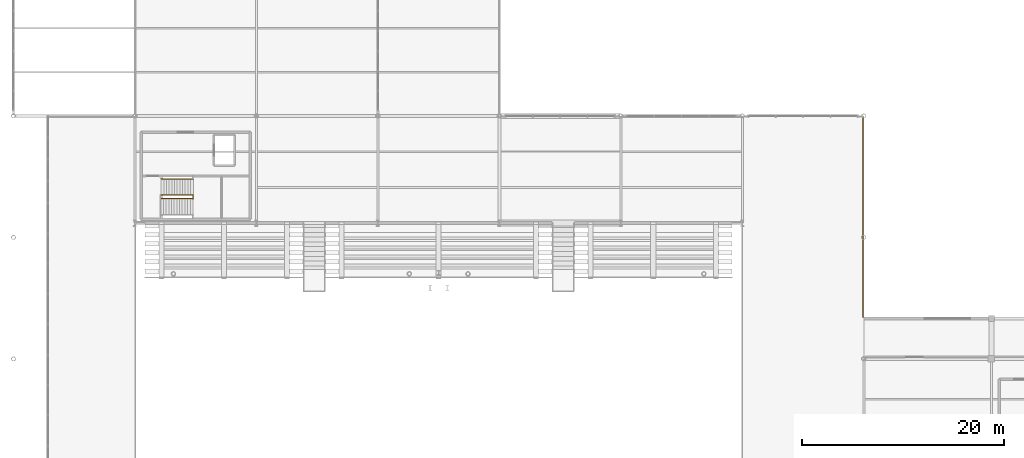
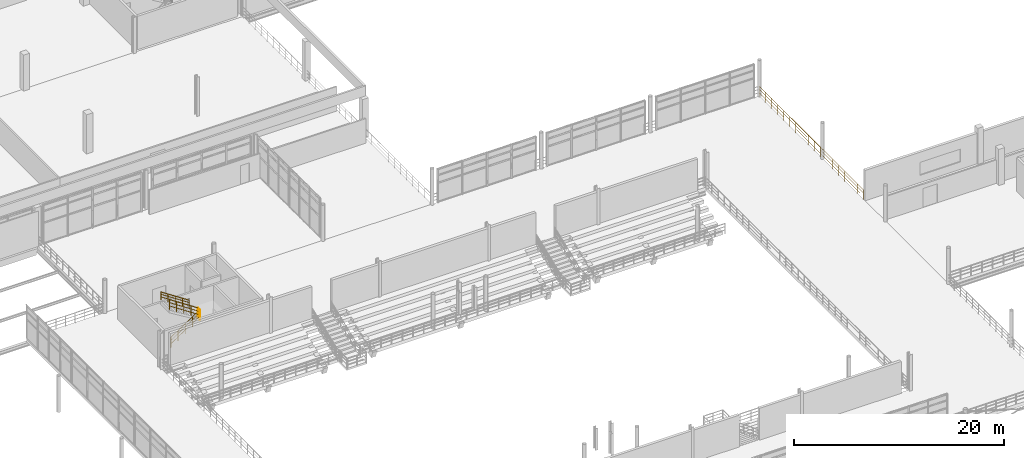
# One storey, part 80 of 89: 5 railings.
"""IFC4 building model written with IfcOpenShell, lengths in metres."""

from ifc_helpers import new_model, si_unit, direction, frame, origin, origin_2d, place, context, subcontext, project, spatial, circle, extrude, material, layer, layer_set, type_object, element, save


model = new_model("IFC4")

# Units and contexts
model_context = context("Model", 3, precision=1e-05, world=origin(), true_north=direction((0.0, 1.0)))
body_context = subcontext(model_context, "Body", "Model", "MODEL_VIEW")
ifc_project = project(units=[si_unit("LENGTHUNIT", "METRE"), si_unit("AREAUNIT", "SQUARE_METRE"), si_unit("VOLUMEUNIT", "CUBIC_METRE"), si_unit("PLANEANGLEUNIT", "RADIAN"), si_unit("MASSUNIT", "GRAM", prefix="KILO"), si_unit("THERMODYNAMICTEMPERATUREUNIT", "KELVIN"), si_unit("POWERUNIT", "WATT")], contexts=[model_context])

# Site, building, storey
site_placement = place(None, origin())
site = spatial("IfcSite", under=ifc_project, at=site_placement, CompositionType="ELEMENT")
building_placement = place(site_placement, origin())
building = spatial("IfcBuilding", under=site, at=building_placement, Name="Solmara Park Aquatics Centre", CompositionType="ELEMENT")
storey_placement = place(building_placement, frame((0.0, 0.0, 5.39990234375)))
storey = spatial("IfcBuildingStorey", under=building, at=storey_placement, Name="L01", CompositionType="ELEMENT", Elevation=5.39990234375)

# Railings
ifc_material_1 = material(Name="Brushed Marine-Grade Stainless Steel 316L Handrail", Category="steel")
ifc_layer_1 = layer(ifc_material_1, 0.044921875, Name="Brushed Marine-Grade Stainless Steel 316L Handrail")
ifc_layer_set_1 = layer_set([ifc_layer_1], Name="Brushed Marine-Grade Stainless Steel 316L Handrail")
railing_type_1 = type_object("IfcRailingType", Name="ARC-RL-HND090", PredefinedType="HANDRAIL", material=ifc_layer_set_1)
railing_1_placement = place(storey_placement, frame((30.360107421875, 66.389892578125, 2.26171875)))
element("IfcRailing", 1, at=railing_1_placement, inside=storey, type_object=railing_type_1, Name="ST-04 Protected Exit Stair (L01 to L02) Flight 2 Outer Handrail", PredefinedType="HANDRAIL", context=body_context, shape_type="SweptSolid", body=[
    extrude(circle(Radius=0.02392578125, at=origin_2d()), frame((0.0, 0.0, 0.89599609375), z_axis=(-0.834496290938, 0.0, 0.551013557374), x_axis=(0.0, -1.0, 0.0)), (0.0, 0.0, 1.0), 3.810791015625),
    extrude(circle(Radius=0.01416015625, at=origin_2d()), frame((0.0, 0.0, 0.322021484375), z_axis=(-0.834496290938, 0.0, 0.551013557374), x_axis=(0.0, -1.0, 0.0)), (0.0, 0.0, 1.0), 3.810791015625),
    extrude(circle(Radius=0.01416015625, at=origin_2d()), frame((0.0, 0.0, 0.62548828125), z_axis=(-0.834496290938, 0.0, 0.551013557374), x_axis=(0.0, -1.0, 0.0)), (0.0, 0.0, 1.0), 3.810791015625),
    extrude(circle(Radius=0.02099609375, at=origin_2d()), origin(), (0.0, 0.0, 1.0), 0.871826171875),
    extrude(circle(Radius=0.02099609375, at=origin_2d()), frame((-0.794921875, 0.0, 0.52490234375)), (0.0, 0.0, 1.0), 0.871826171875),
    extrude(circle(Radius=0.02099609375, at=origin_2d()), frame((-1.590087890625, 0.0, 1.0498046875)), (0.0, 0.0, 1.0), 0.871826171875),
    extrude(circle(Radius=0.02099609375, at=origin_2d()), frame((-2.38525390625, 0.0, 1.574951171875)), (0.0, 0.0, 1.0), 0.871826171875),
    extrude(circle(Radius=0.02099609375, at=origin_2d()), frame((-3.18017578125, 0.0, 2.099853515625)), (0.0, 0.0, 1.0), 0.871826171875),
])
ifc_material_2 = material(Name="Toughened Glass and Stainless Steel Stand Guardrail", Category="steel")
ifc_layer_2 = layer(ifc_material_2, 0.06005859375, Name="Toughened Glass and Stainless Steel Stand Guardrail")
ifc_layer_set_2 = layer_set([ifc_layer_2], Name="Toughened Glass and Stainless Steel Stand Guardrail")
railing_type_2 = type_object("IfcRailingType", Name="ARC-RL-STD110", PredefinedType="GUARDRAIL", material=ifc_layer_set_2)
railing_2_placement = place(storey_placement, frame((96.5400390625, 72.5400390625, 0.0)))
element("IfcRailing", 2, at=railing_2_placement, inside=storey, type_object=railing_type_2, Name="L01 Slab Edge Guardrail 039", PredefinedType="GUARDRAIL", context=body_context, shape_type="SweptSolid", body=[
    extrude(circle(Radius=0.02392578125, at=origin_2d()), frame((0.0, 0.0, 1.15576171875), z_axis=(0.0, -1.0, 0.0), x_axis=(1.0, 0.0, 0.0)), (0.0, 0.0, 1.0), 19.813720703125),
    extrude(circle(Radius=0.01416015625, at=origin_2d()), frame((0.0, 0.0, 0.4130859375), z_axis=(0.0, -1.0, 0.0), x_axis=(1.0, 0.0, 0.0)), (0.0, 0.0, 1.0), 19.813720703125),
    extrude(circle(Radius=0.01416015625, at=origin_2d()), frame((0.0, 0.0, 0.80224609375), z_axis=(0.0, -1.0, 0.0), x_axis=(1.0, 0.0, 0.0)), (0.0, 0.0, 1.0), 19.813720703125),
    extrude(circle(Radius=0.02099609375, at=origin_2d()), origin(), (0.0, 0.0, 1.0), 1.1318359375),
    extrude(circle(Radius=0.02099609375, at=origin_2d()), frame((0.0, -1.16552734375, 0.0)), (0.0, 0.0, 1.0), 1.1318359375),
    extrude(circle(Radius=0.02099609375, at=origin_2d()), frame((0.0, -2.3310546875, 0.0)), (0.0, 0.0, 1.0), 1.1318359375),
    extrude(circle(Radius=0.02099609375, at=origin_2d()), frame((0.0, -3.49658203125, 0.0)), (0.0, 0.0, 1.0), 1.1318359375),
    extrude(circle(Radius=0.02099609375, at=origin_2d()), frame((0.0, -4.662109375, 0.0)), (0.0, 0.0, 1.0), 1.1318359375),
    extrude(circle(Radius=0.02099609375, at=origin_2d()), frame((0.0, -5.82763671875, 0.0)), (0.0, 0.0, 1.0), 1.1318359375),
    extrude(circle(Radius=0.02099609375, at=origin_2d()), frame((0.0, -6.9931640625, 0.0)), (0.0, 0.0, 1.0), 1.1318359375),
    extrude(circle(Radius=0.02099609375, at=origin_2d()), frame((0.0, -8.15869140625, 0.0)), (0.0, 0.0, 1.0), 1.1318359375),
    extrude(circle(Radius=0.02099609375, at=origin_2d()), frame((0.0, -9.32421875, 0.0)), (0.0, 0.0, 1.0), 1.1318359375),
    extrude(circle(Radius=0.02099609375, at=origin_2d()), frame((0.0, -10.489501953125, 0.0)), (0.0, 0.0, 1.0), 1.1318359375),
    extrude(circle(Radius=0.02099609375, at=origin_2d()), frame((0.0, -11.655029296875, 0.0)), (0.0, 0.0, 1.0), 1.1318359375),
    extrude(circle(Radius=0.02099609375, at=origin_2d()), frame((0.0, -12.820556640625, 0.0)), (0.0, 0.0, 1.0), 1.1318359375),
    extrude(circle(Radius=0.02099609375, at=origin_2d()), frame((0.0, -13.986083984375, 0.0)), (0.0, 0.0, 1.0), 1.1318359375),
    extrude(circle(Radius=0.02099609375, at=origin_2d()), frame((0.0, -15.151611328125, 0.0)), (0.0, 0.0, 1.0), 1.1318359375),
    extrude(circle(Radius=0.02099609375, at=origin_2d()), frame((0.0, -16.317138671875, 0.0)), (0.0, 0.0, 1.0), 1.1318359375),
    extrude(circle(Radius=0.02099609375, at=origin_2d()), frame((0.0, -17.482666015625, 0.0)), (0.0, 0.0, 1.0), 1.1318359375),
    extrude(circle(Radius=0.02099609375, at=origin_2d()), frame((0.0, -18.648193359375, 0.0)), (0.0, 0.0, 1.0), 1.1318359375),
    extrude(circle(Radius=0.02099609375, at=origin_2d()), frame((0.0, -19.813720703125, 0.0)), (0.0, 0.0, 1.0), 1.1318359375),
])
ifc_material_3 = material(Name="Brushed Stainless Steel Guardrail", Category="steel")
ifc_layer_3 = layer(ifc_material_3, 0.050048828125, Name="Brushed Stainless Steel Guardrail")
ifc_layer_set_3 = layer_set([ifc_layer_3], Name="Brushed Stainless Steel Guardrail")
railing_type_3 = type_object("IfcRailingType", Name="ARC-RL-STR110", PredefinedType="GUARDRAIL", material=ifc_layer_set_3)
railing_3_placement = place(storey_placement, frame((27.14990234375, 64.429931640625, 0.0)))
element("IfcRailing", 3, at=railing_3_placement, inside=storey, type_object=railing_type_3, Name="ST-04 Protected Exit Stair (L01 to L02) Flight 1 Inner Guardrail", PredefinedType="GUARDRAIL", context=body_context, shape_type="SweptSolid", body=[
    extrude(circle(Radius=0.02392578125, at=origin_2d()), frame((0.0, 0.0, 1.15576171875), z_axis=(0.834466833004, 0.0, 0.551058168087), x_axis=(0.0, 1.0, 0.0)), (0.0, 0.0, 1.0), 3.81103515625),
    extrude(circle(Radius=0.01416015625, at=origin_2d()), frame((0.0, 0.0, 0.4130859375), z_axis=(0.834466833004, 0.0, 0.551058168087), x_axis=(0.0, 1.0, 0.0)), (0.0, 0.0, 1.0), 3.81103515625),
    extrude(circle(Radius=0.01416015625, at=origin_2d()), frame((0.0, 0.0, 0.80224609375), z_axis=(0.834466833004, 0.0, 0.551058168087), x_axis=(0.0, 1.0, 0.0)), (0.0, 0.0, 1.0), 3.81103515625),
    extrude(circle(Radius=0.02099609375, at=origin_2d()), origin(), (0.0, 0.0, 1.0), 1.1318359375),
    extrude(circle(Radius=0.02099609375, at=origin_2d()), frame((0.794921875, 0.0, 0.52490234375)), (0.0, 0.0, 1.0), 1.1318359375),
    extrude(circle(Radius=0.02099609375, at=origin_2d()), frame((1.590087890625, 0.0, 1.050048828125)), (0.0, 0.0, 1.0), 1.1318359375),
    extrude(circle(Radius=0.02099609375, at=origin_2d()), frame((2.38525390625, 0.0, 1.5751953125)), (0.0, 0.0, 1.0), 1.1318359375),
    extrude(circle(Radius=0.02099609375, at=origin_2d()), frame((3.18017578125, 0.0, 2.10009765625)), (0.0, 0.0, 1.0), 1.1318359375),
])
railing_4_placement = place(storey_placement, frame((30.360107421875, 64.77001953125, 2.10009765625)))
element("IfcRailing", 4, at=railing_4_placement, inside=storey, type_object=railing_type_3, Name="ST-04 Protected Exit Stair (L01 to L02) Flight 2 Inner Guardrail", PredefinedType="GUARDRAIL", context=body_context, shape_type="SweptSolid", body=[
    extrude(circle(Radius=0.02392578125, at=origin_2d()), frame((0.0, 0.0, 1.15576171875), z_axis=(-0.834466833004, 0.0, 0.551058168087), x_axis=(0.0, -1.0, 0.0)), (0.0, 0.0, 1.0), 3.81103515625),
    extrude(circle(Radius=0.01416015625, at=origin_2d()), frame((0.0, 0.0, 0.4130859375), z_axis=(-0.834466833004, 0.0, 0.551058168087), x_axis=(0.0, -1.0, 0.0)), (0.0, 0.0, 1.0), 3.81103515625),
    extrude(circle(Radius=0.01416015625, at=origin_2d()), frame((0.0, 0.0, 0.80224609375), z_axis=(-0.834466833004, 0.0, 0.551058168087), x_axis=(0.0, -1.0, 0.0)), (0.0, 0.0, 1.0), 3.81103515625),
    extrude(circle(Radius=0.02099609375, at=origin_2d()), origin(), (0.0, 0.0, 1.0), 1.1318359375),
    extrude(circle(Radius=0.02099609375, at=origin_2d()), frame((-0.794921875, 0.0, 0.52490234375)), (0.0, 0.0, 1.0), 1.1318359375),
    extrude(circle(Radius=0.02099609375, at=origin_2d()), frame((-1.590087890625, 0.0, 1.050048828125)), (0.0, 0.0, 1.0), 1.1318359375),
    extrude(circle(Radius=0.02099609375, at=origin_2d()), frame((-2.38525390625, 0.0, 1.5751953125)), (0.0, 0.0, 1.0), 1.1318359375),
    extrude(circle(Radius=0.02099609375, at=origin_2d()), frame((-3.18017578125, 0.0, 2.10009765625)), (0.0, 0.0, 1.0), 1.1318359375),
])
railing_5_placement = place(storey_placement, frame((30.330078125, 64.409912109375, 2.10009765625)))
element("IfcRailing", 5, at=railing_5_placement, inside=storey, type_object=railing_type_3, Name="ST-04 Protected Exit Stair (L01 to L02) Half-Landing Well Guardrail", PredefinedType="GUARDRAIL", context=body_context, shape_type="SweptSolid", body=[
    extrude(circle(Radius=0.02392578125, at=origin_2d()), frame((0.0, 0.0, 1.15576171875), z_axis=(0.0, 1.0, 0.0), x_axis=(-1.0, 0.0, 0.0)), (0.0, 0.0, 1.0), 0.380126953125),
    extrude(circle(Radius=0.01416015625, at=origin_2d()), frame((0.0, 0.0, 0.4130859375), z_axis=(0.0, 1.0, 0.0), x_axis=(-1.0, 0.0, 0.0)), (0.0, 0.0, 1.0), 0.380126953125),
    extrude(circle(Radius=0.01416015625, at=origin_2d()), frame((0.0, 0.0, 0.80224609375), z_axis=(0.0, 1.0, 0.0), x_axis=(-1.0, 0.0, 0.0)), (0.0, 0.0, 1.0), 0.380126953125),
    extrude(circle(Radius=0.02099609375, at=origin_2d()), origin(), (0.0, 0.0, 1.0), 1.1318359375),
    extrude(circle(Radius=0.02099609375, at=origin_2d()), frame((0.0, 0.380126953125, 0.0)), (0.0, 0.0, 1.0), 1.1318359375),
])

save(model, "model.ifc")
